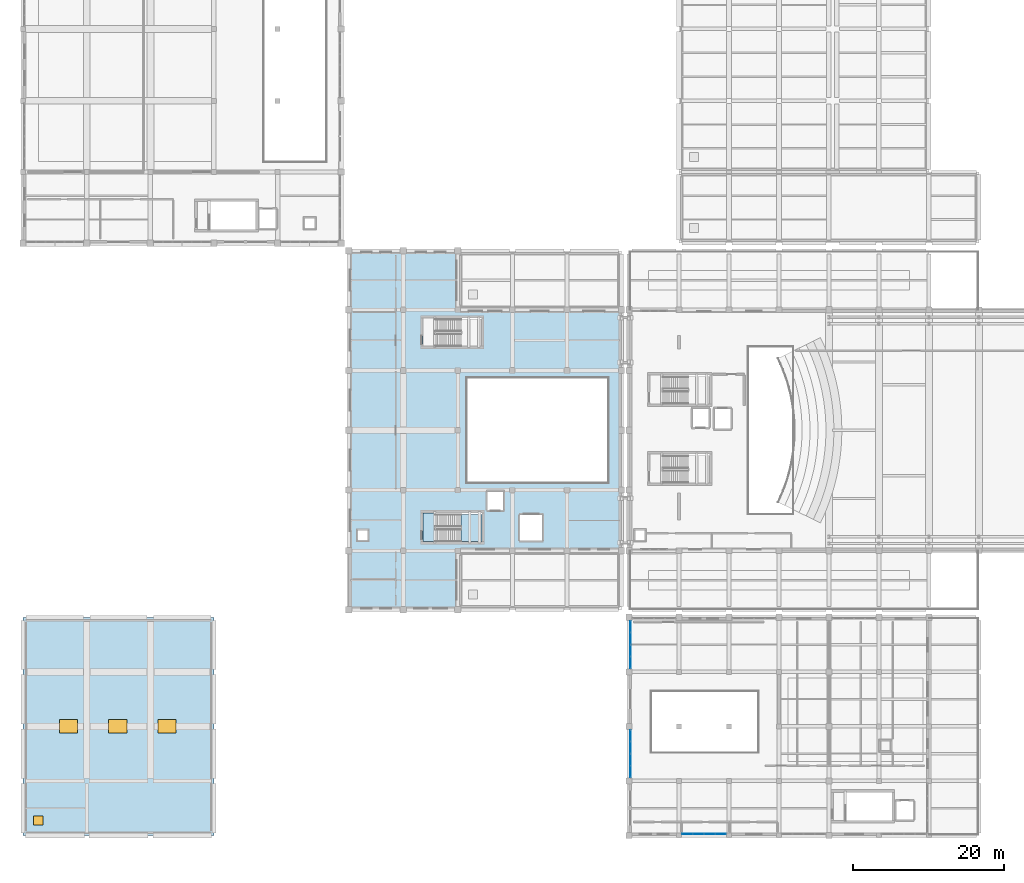
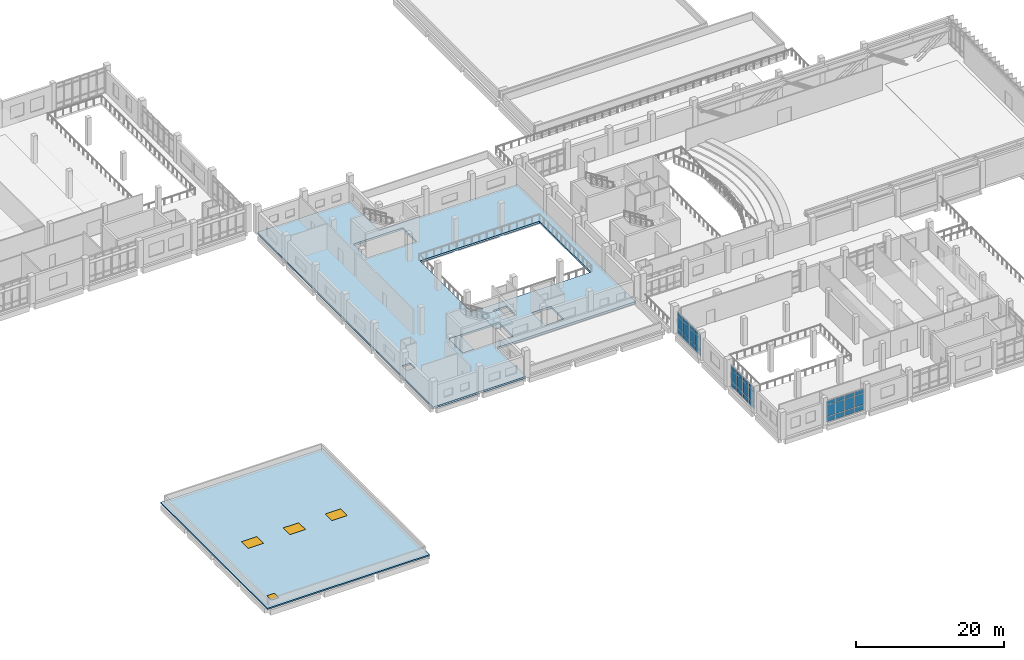
# One storey, part 26 of 54: 36 plates, 4 slabs, 4 windows, 4 openings, 6 elements without a shape of their own.
"""IFC4 building model written with IfcOpenShell, lengths in metres."""

from ifc_helpers import new_model, si_unit, direction, frame, origin, origin_2d, place, context, subcontext, project, spatial, polyline, rectangle, outline, extrude, material, layer, layer_set, type_object, element, fill, aggregate, save


model = new_model("IFC4")

# Units and contexts
model_context = context("Model", 3, precision=1e-05, world=origin(), true_north=direction((0.0, 1.0)))
body_context = subcontext(model_context, "Body", "Model", "MODEL_VIEW")
ifc_project = project(units=[si_unit("LENGTHUNIT", "METRE"), si_unit("AREAUNIT", "SQUARE_METRE"), si_unit("VOLUMEUNIT", "CUBIC_METRE"), si_unit("PLANEANGLEUNIT", "RADIAN"), si_unit("MASSUNIT", "GRAM", prefix="KILO")], contexts=[model_context])

# Site, building, storey
site_placement = place(None, origin())
site = spatial("IfcSite", under=ifc_project, at=site_placement, CompositionType="ELEMENT")
building_placement = place(site_placement, origin())
building = spatial("IfcBuilding", under=site, at=building_placement, Name="Kelarvand Opera House", CompositionType="ELEMENT")
storey_placement = place(building_placement, frame((0.0, 0.0, 15.0)))
storey = spatial("IfcBuildingStorey", under=building, at=storey_placement, Name="L03", CompositionType="ELEMENT", Elevation=15.0)

# Slab
ifc_material_1 = material(Name="Concrete C35/45", Category="concrete")
ifc_layer_1 = layer(ifc_material_1, 0.219970703125, Name="Concrete C35/45", Category="concrete")
ifc_layer_set_1 = layer_set([ifc_layer_1], Name="Concrete C35/45")
slab_type_1 = type_object("IfcSlabType", Name="Core Stair Entry Landing Slab 220", PredefinedType="LANDING", material=ifc_layer_set_1)
slab_1_placement = place(storey_placement, frame((0.0, 0.0, -0.219970703125)))
element("IfcSlab", 1, at=slab_1_placement, inside=storey, type_object=slab_type_1, Name="C2 Stair Entry Landing L03", PredefinedType="LANDING", context=body_context, shape_type="SweptSolid", body=[
    extrude(outline(polyline([(61.800048828125, 47.800048828125), (63.52001953125, 47.800048828125), (63.52001953125, 51.60009765625), (61.800048828125, 51.60009765625), (61.800048828125, 47.800048828125)])), origin(), (0.0, 0.0, 1.0), 0.219970703125),
])

# Slab, openings, windows
ifc_layer_2 = layer(ifc_material_1, 0.219970703125, Name="Concrete C35/45", Category="concrete")
ifc_layer_set_2 = layer_set([ifc_layer_2], Name="Concrete C35/45")
slab_type_2 = type_object("IfcSlabType", Name="Flat Structural Roof Slab 220", PredefinedType="ROOF", material=ifc_layer_set_2)
slab_2_placement = place(storey_placement, frame((0.0, 0.0, -0.219970703125)))
slab_2 = element("IfcSlab", 2, at=slab_2_placement, inside=storey, type_object=slab_type_2, Name="V4 Flat Roof Slab L03 1", PredefinedType="ROOF", context=body_context, shape_type="SweptSolid", body=[
    extrude(outline(polyline([(9.0, 9.0), (34.199951171875, 9.0), (34.199951171875, 37.800048828125), (9.0, 37.800048828125), (9.0, 9.0)])), origin(), (0.0, 0.0, 1.0), 0.219970703125),
])
opening_1_placement = place(slab_2_placement, frame((11.0, 11.0, 0.0)))
opening_1 = element("IfcOpeningElement", 3, at=opening_1_placement, cuts=slab_2, Name="Opening RH-01", PredefinedType="OPENING", context=body_context, shape_type="SweptSolid", body=[
    extrude(rectangle(XDim=1.199951171875, YDim=1.199951171875, at=origin_2d()), frame((0.0, 0.0, -0.010009765625)), (0.0, 0.0, 1.0), 0.239990234375),
])
opening_2_placement = place(slab_2_placement, frame((15.0, 23.39990234375, 0.0)))
opening_2 = element("IfcOpeningElement", 4, at=opening_2_placement, cuts=slab_2, Name="Opening SK-01", PredefinedType="OPENING", context=body_context, shape_type="SweptSolid", body=[
    extrude(rectangle(XDim=2.39990234375, YDim=1.800048828125, at=origin_2d()), frame((0.0, 0.0, -0.010009765625)), (0.0, 0.0, 1.0), 0.239990234375),
])
opening_3_placement = place(slab_2_placement, frame((21.5, 23.39990234375, 0.0)))
opening_3 = element("IfcOpeningElement", 5, at=opening_3_placement, cuts=slab_2, Name="Opening SK-01", PredefinedType="OPENING", context=body_context, shape_type="SweptSolid", body=[
    extrude(rectangle(XDim=2.39990234375, YDim=1.800048828125, at=origin_2d()), frame((0.0, 0.0, -0.010009765625)), (0.0, 0.0, 1.0), 0.239990234375),
])
opening_4_placement = place(slab_2_placement, frame((28.0, 23.39990234375, 0.0)))
opening_4 = element("IfcOpeningElement", 6, at=opening_4_placement, cuts=slab_2, Name="Opening SK-01", PredefinedType="OPENING", context=body_context, shape_type="SweptSolid", body=[
    extrude(rectangle(XDim=2.39990234375, YDim=1.800048828125, at=origin_2d()), frame((0.0, 0.0, -0.010009765625)), (0.0, 0.0, 1.0), 0.239990234375),
])
ifc_material_2 = material(Name="Insulated aluminium roof access hatch", Category="aluminium")
window_type_1 = type_object("IfcWindowType", Name="Insulated Flat-Roof Maintenance Access Hatch 1200x1200", PartitioningType="SINGLE_PANEL", PredefinedType="SKYLIGHT", material=ifc_material_2)
window_1_placement = place(opening_1_placement, frame((0.0, 0.0, 0.169921875)))
window_1 = element("IfcWindow", 7, at=window_1_placement, inside=storey, type_object=window_type_1, Name="V4 Maintenance Roof Hatch 8", OverallHeight=1.199951171875, OverallWidth=1.199951171875, PartitioningType="SINGLE_PANEL", PredefinedType="SKYLIGHT", context=body_context, shape_type="SweptSolid", body=[
    extrude(rectangle(XDim=1.199951171875, YDim=1.199951171875, at=origin_2d()), origin(), (0.0, 0.0, 1.0), 0.050048828125),
])
fill(opening_1, window_1)
ifc_material_3 = material(Name="Thermally broken aluminium skylight glazing", Category="aluminium")
window_type_2 = type_object("IfcWindowType", Name="Workshop North-Light Acoustic Skylight 2400x1800", PartitioningType="SINGLE_PANEL", PredefinedType="SKYLIGHT", material=ifc_material_3)
window_2_placement = place(opening_2_placement, frame((0.0, 0.0, 0.169921875)))
window_2 = element("IfcWindow", 8, at=window_2_placement, inside=storey, type_object=window_type_2, Name="Workshop North-Light Skylight 1", OverallHeight=1.800048828125, OverallWidth=2.39990234375, PartitioningType="SINGLE_PANEL", PredefinedType="SKYLIGHT", context=body_context, shape_type="SweptSolid", body=[
    extrude(rectangle(XDim=2.39990234375, YDim=1.800048828125, at=origin_2d()), origin(), (0.0, 0.0, 1.0), 0.050048828125),
])
fill(opening_2, window_2)
window_3_placement = place(opening_3_placement, frame((0.0, 0.0, 0.169921875)))
window_3 = element("IfcWindow", 9, at=window_3_placement, inside=storey, type_object=window_type_2, Name="Workshop North-Light Skylight 2", OverallHeight=1.800048828125, OverallWidth=2.39990234375, PartitioningType="SINGLE_PANEL", PredefinedType="SKYLIGHT", context=body_context, shape_type="SweptSolid", body=[
    extrude(rectangle(XDim=2.39990234375, YDim=1.800048828125, at=origin_2d()), origin(), (0.0, 0.0, 1.0), 0.050048828125),
])
fill(opening_3, window_3)
window_4_placement = place(opening_4_placement, frame((0.0, 0.0, 0.169921875)))
window_4 = element("IfcWindow", 10, at=window_4_placement, inside=storey, type_object=window_type_2, Name="Workshop North-Light Skylight 3", OverallHeight=1.800048828125, OverallWidth=2.39990234375, PartitioningType="SINGLE_PANEL", PredefinedType="SKYLIGHT", context=body_context, shape_type="SweptSolid", body=[
    extrude(rectangle(XDim=2.39990234375, YDim=1.800048828125, at=origin_2d()), origin(), (0.0, 0.0, 1.0), 0.050048828125),
])
fill(opening_4, window_4)

# Slab
ifc_material_4 = material(Name="Concrete C40/50", Category="concrete")
ifc_layer_3 = layer(ifc_material_4, 0.320068359375, Name="Concrete C40/50", Category="concrete")
ifc_layer_set_3 = layer_set([ifc_layer_3], Name="Concrete C40/50")
slab_type_3 = type_object("IfcSlabType", Name="Long-Span Hall Floor Slab 320", PredefinedType="FLOOR", material=ifc_layer_set_3)
slab_3_placement = place(storey_placement, frame((0.0, 0.0, -0.320068359375)))
element("IfcSlab", 11, at=slab_3_placement, inside=storey, type_object=slab_type_3, Name="V2 L03 Structural Slab 14", PredefinedType="FLOOR", context=body_context, shape_type="SweptSolid", body=[
    extrude(outline(polyline([(66.39990234375, 38.800048828125), (52.0, 38.800048828125), (52.0, 86.199951171875), (66.39990234375, 86.199951171875), (66.39990234375, 78.39990234375), (88.0, 78.39990234375), (88.0, 46.60009765625), (66.39990234375, 46.60009765625), (66.39990234375, 38.800048828125)]), holes=[polyline([(53.199951171875, 49.300048828125), (54.5, 49.300048828125), (54.5, 48.0), (53.199951171875, 48.0), (53.199951171875, 49.300048828125)]), polyline([(77.550048828125, 51.35009765625), (77.550048828125, 47.89990234375), (74.60009765625, 47.89990234375), (74.60009765625, 51.35009765625), (77.550048828125, 51.35009765625)]), polyline([(69.60009765625, 51.60009765625), (69.60009765625, 47.800048828125), (61.800048828125, 47.800048828125), (61.800048828125, 51.60009765625), (69.60009765625, 51.60009765625)]), polyline([(70.300048828125, 54.39990234375), (72.39990234375, 54.39990234375), (72.39990234375, 51.949951171875), (70.300048828125, 51.949951171875), (70.300048828125, 54.39990234375)]), polyline([(86.199951171875, 69.39990234375), (86.199951171875, 55.60009765625), (67.60009765625, 55.60009765625), (67.60009765625, 69.39990234375), (86.199951171875, 69.39990234375)]), polyline([(69.5, 77.300048828125), (69.5, 73.60009765625), (61.800048828125, 73.60009765625), (61.800048828125, 77.300048828125), (69.5, 77.300048828125)])]), origin(), (0.0, 0.0, 1.0), 0.320068359375),
])

# Curtain wall, plates
ifc_material_5 = material(Name="Thermally broken aluminium and low-E glazing", Category="aluminium")
ifc_layer_4 = layer(ifc_material_5, 0.179931640625, Name="Thermally broken aluminium and low-E glazing", Category="aluminium")
ifc_layer_set_4 = layer_set([ifc_layer_4], Name="Thermally broken aluminium and low-E glazing")
curtain_wall_type_1 = type_object("IfcCurtainWallType", Name="Unitised Low-E Curtain Wall 3176x3530 Mod 1350 CWF-59", PredefinedType="USERDEFINED", material=ifc_layer_set_4)
curtain_wall_1_placement = place(storey_placement, origin())
curtain_wall_1 = element("IfcCurtainWall", 12, at=curtain_wall_1_placement, inside=storey, type_object=curtain_wall_type_1, Name="V6 L03 Curtain Wall CWF-59 (234)", ObjectType="UNITISED CURTAIN WALL", PredefinedType="USERDEFINED")
ifc_material_6 = material(Name="Low-E laminated double glazing", Category="glass")
ifc_layer_5 = layer(ifc_material_6, 0.031982421875, Name="Low-E laminated double glazing", Category="glass")
ifc_layer_set_5 = layer_set([ifc_layer_5], Name="Low-E laminated double glazing")
plate_type = type_object("IfcPlateType", Name="Low-E Argon Double Glazed Curtain Panel 32mm", PredefinedType="CURTAIN_PANEL", material=ifc_layer_set_5)
plate_1_placement = place(storey_placement, frame((89.179931640625, 17.43017578125, 0.06494140625), z_axis=(0.0, 0.0, 1.0), x_axis=(0.0, 1.0, 0.0)))
plate_1 = element("IfcPlate", 13, at=plate_1_placement, type_object=plate_type, Name="CWF-59 panel 1.1", PredefinedType="CURTAIN_PANEL", context=body_context, shape_type="SweptSolid", body=[
    extrude(rectangle(XDim=1.490478515625, YDim=0.031982421875, at=origin_2d()), origin(), (0.0, 0.0, 1.0), 0.802490234375),
])
plate_2_placement = place(storey_placement, frame((89.179931640625, 17.43017578125, 0.9326171875), z_axis=(0.0, 0.0, 1.0), x_axis=(0.0, 1.0, 0.0)))
plate_2 = element("IfcPlate", 14, at=plate_2_placement, type_object=plate_type, Name="CWF-59 panel 1.2", PredefinedType="CURTAIN_PANEL", context=body_context, shape_type="SweptSolid", body=[
    extrude(rectangle(XDim=1.490478515625, YDim=0.031982421875, at=origin_2d()), origin(), (0.0, 0.0, 1.0), 1.864990234375),
])
plate_3_placement = place(storey_placement, frame((89.179931640625, 17.43017578125, 2.862548828125), z_axis=(0.0, 0.0, 1.0), x_axis=(0.0, 1.0, 0.0)))
plate_3 = element("IfcPlate", 15, at=plate_3_placement, type_object=plate_type, Name="CWF-59 panel 1.3", PredefinedType="CURTAIN_PANEL", context=body_context, shape_type="SweptSolid", body=[
    extrude(rectangle(XDim=1.490478515625, YDim=0.031982421875, at=origin_2d()), origin(), (0.0, 0.0, 1.0), 0.6025390625),
])
plate_4_placement = place(storey_placement, frame((89.179931640625, 18.98583984375, 0.06494140625), z_axis=(0.0, 0.0, 1.0), x_axis=(0.0, 1.0, 0.0)))
plate_4 = element("IfcPlate", 16, at=plate_4_placement, type_object=plate_type, Name="CWF-59 panel 2.1", PredefinedType="CURTAIN_PANEL", context=body_context, shape_type="SweptSolid", body=[
    extrude(rectangle(XDim=1.490478515625, YDim=0.031982421875, at=origin_2d()), origin(), (0.0, 0.0, 1.0), 0.802490234375),
])
plate_5_placement = place(storey_placement, frame((89.179931640625, 18.98583984375, 0.9326171875), z_axis=(0.0, 0.0, 1.0), x_axis=(0.0, 1.0, 0.0)))
plate_5 = element("IfcPlate", 17, at=plate_5_placement, type_object=plate_type, Name="CWF-59 panel 2.2", PredefinedType="CURTAIN_PANEL", context=body_context, shape_type="SweptSolid", body=[
    extrude(rectangle(XDim=1.490478515625, YDim=0.031982421875, at=origin_2d()), origin(), (0.0, 0.0, 1.0), 1.864990234375),
])
plate_6_placement = place(storey_placement, frame((89.179931640625, 18.98583984375, 2.862548828125), z_axis=(0.0, 0.0, 1.0), x_axis=(0.0, 1.0, 0.0)))
plate_6 = element("IfcPlate", 18, at=plate_6_placement, type_object=plate_type, Name="CWF-59 panel 2.3", PredefinedType="CURTAIN_PANEL", context=body_context, shape_type="SweptSolid", body=[
    extrude(rectangle(XDim=1.490478515625, YDim=0.031982421875, at=origin_2d()), origin(), (0.0, 0.0, 1.0), 0.6025390625),
])
aggregate(curtain_wall_1, [plate_1, plate_2, plate_3, plate_4, plate_5, plate_6])

curtain_wall_2_placement = place(storey_placement, origin())
curtain_wall_2 = element("IfcCurtainWall", 19, at=curtain_wall_2_placement, inside=storey, type_object=curtain_wall_type_1, Name="V6 L03 Curtain Wall CWF-59 (235)", ObjectType="UNITISED CURTAIN WALL", PredefinedType="USERDEFINED")
plate_7_placement = place(storey_placement, frame((89.179931640625, 20.611328125, 0.06494140625), z_axis=(0.0, 0.0, 1.0), x_axis=(0.0, 1.0, 0.0)))
plate_7 = element("IfcPlate", 20, at=plate_7_placement, type_object=plate_type, Name="CWF-59 panel 1.1", PredefinedType="CURTAIN_PANEL", context=body_context, shape_type="SweptSolid", body=[
    extrude(rectangle(XDim=1.492431640625, YDim=0.031982421875, at=origin_2d()), origin(), (0.0, 0.0, 1.0), 0.802490234375),
])
plate_8_placement = place(storey_placement, frame((89.179931640625, 20.611328125, 0.9326171875), z_axis=(0.0, 0.0, 1.0), x_axis=(0.0, 1.0, 0.0)))
plate_8 = element("IfcPlate", 21, at=plate_8_placement, type_object=plate_type, Name="CWF-59 panel 1.2", PredefinedType="CURTAIN_PANEL", context=body_context, shape_type="SweptSolid", body=[
    extrude(rectangle(XDim=1.492431640625, YDim=0.031982421875, at=origin_2d()), origin(), (0.0, 0.0, 1.0), 1.864990234375),
])
plate_9_placement = place(storey_placement, frame((89.179931640625, 20.611328125, 2.862548828125), z_axis=(0.0, 0.0, 1.0), x_axis=(0.0, 1.0, 0.0)))
plate_9 = element("IfcPlate", 22, at=plate_9_placement, type_object=plate_type, Name="CWF-59 panel 1.3", PredefinedType="CURTAIN_PANEL", context=body_context, shape_type="SweptSolid", body=[
    extrude(rectangle(XDim=1.492431640625, YDim=0.031982421875, at=origin_2d()), origin(), (0.0, 0.0, 1.0), 0.6025390625),
])
plate_10_placement = place(storey_placement, frame((89.179931640625, 22.168701171875, 0.06494140625), z_axis=(0.0, 0.0, 1.0), x_axis=(0.0, 1.0, 0.0)))
plate_10 = element("IfcPlate", 23, at=plate_10_placement, type_object=plate_type, Name="CWF-59 panel 2.1", PredefinedType="CURTAIN_PANEL", context=body_context, shape_type="SweptSolid", body=[
    extrude(rectangle(XDim=1.492431640625, YDim=0.031982421875, at=origin_2d()), origin(), (0.0, 0.0, 1.0), 0.802490234375),
])
plate_11_placement = place(storey_placement, frame((89.179931640625, 22.168701171875, 0.9326171875), z_axis=(0.0, 0.0, 1.0), x_axis=(0.0, 1.0, 0.0)))
plate_11 = element("IfcPlate", 24, at=plate_11_placement, type_object=plate_type, Name="CWF-59 panel 2.2", PredefinedType="CURTAIN_PANEL", context=body_context, shape_type="SweptSolid", body=[
    extrude(rectangle(XDim=1.492431640625, YDim=0.031982421875, at=origin_2d()), origin(), (0.0, 0.0, 1.0), 1.864990234375),
])
plate_12_placement = place(storey_placement, frame((89.179931640625, 22.168701171875, 2.862548828125), z_axis=(0.0, 0.0, 1.0), x_axis=(0.0, 1.0, 0.0)))
plate_12 = element("IfcPlate", 25, at=plate_12_placement, type_object=plate_type, Name="CWF-59 panel 2.3", PredefinedType="CURTAIN_PANEL", context=body_context, shape_type="SweptSolid", body=[
    extrude(rectangle(XDim=1.492431640625, YDim=0.031982421875, at=origin_2d()), origin(), (0.0, 0.0, 1.0), 0.6025390625),
])
aggregate(curtain_wall_2, [plate_7, plate_8, plate_9, plate_10, plate_11, plate_12])

curtain_wall_3_placement = place(storey_placement, origin())
curtain_wall_3 = element("IfcCurtainWall", 26, at=curtain_wall_3_placement, inside=storey, type_object=curtain_wall_type_1, Name="V6 L03 Curtain Wall CWF-59 (236)", ObjectType="UNITISED CURTAIN WALL", PredefinedType="USERDEFINED")
plate_13_placement = place(storey_placement, frame((89.179931640625, 31.830322265625, 0.06494140625), z_axis=(0.0, 0.0, 1.0), x_axis=(0.0, 1.0, 0.0)))
plate_13 = element("IfcPlate", 27, at=plate_13_placement, type_object=plate_type, Name="CWF-59 panel 1.1", PredefinedType="CURTAIN_PANEL", context=body_context, shape_type="SweptSolid", body=[
    extrude(rectangle(XDim=1.490478515625, YDim=0.031982421875, at=origin_2d()), origin(), (0.0, 0.0, 1.0), 0.802490234375),
])
plate_14_placement = place(storey_placement, frame((89.179931640625, 31.830322265625, 0.9326171875), z_axis=(0.0, 0.0, 1.0), x_axis=(0.0, 1.0, 0.0)))
plate_14 = element("IfcPlate", 28, at=plate_14_placement, type_object=plate_type, Name="CWF-59 panel 1.2", PredefinedType="CURTAIN_PANEL", context=body_context, shape_type="SweptSolid", body=[
    extrude(rectangle(XDim=1.490478515625, YDim=0.031982421875, at=origin_2d()), origin(), (0.0, 0.0, 1.0), 1.864990234375),
])
plate_15_placement = place(storey_placement, frame((89.179931640625, 31.830322265625, 2.862548828125), z_axis=(0.0, 0.0, 1.0), x_axis=(0.0, 1.0, 0.0)))
plate_15 = element("IfcPlate", 29, at=plate_15_placement, type_object=plate_type, Name="CWF-59 panel 1.3", PredefinedType="CURTAIN_PANEL", context=body_context, shape_type="SweptSolid", body=[
    extrude(rectangle(XDim=1.490478515625, YDim=0.031982421875, at=origin_2d()), origin(), (0.0, 0.0, 1.0), 0.6025390625),
])
plate_16_placement = place(storey_placement, frame((89.179931640625, 33.3857421875, 0.06494140625), z_axis=(0.0, 0.0, 1.0), x_axis=(0.0, 1.0, 0.0)))
plate_16 = element("IfcPlate", 30, at=plate_16_placement, type_object=plate_type, Name="CWF-59 panel 2.1", PredefinedType="CURTAIN_PANEL", context=body_context, shape_type="SweptSolid", body=[
    extrude(rectangle(XDim=1.490478515625, YDim=0.031982421875, at=origin_2d()), origin(), (0.0, 0.0, 1.0), 0.802490234375),
])
plate_17_placement = place(storey_placement, frame((89.179931640625, 33.3857421875, 0.9326171875), z_axis=(0.0, 0.0, 1.0), x_axis=(0.0, 1.0, 0.0)))
plate_17 = element("IfcPlate", 31, at=plate_17_placement, type_object=plate_type, Name="CWF-59 panel 2.2", PredefinedType="CURTAIN_PANEL", context=body_context, shape_type="SweptSolid", body=[
    extrude(rectangle(XDim=1.490478515625, YDim=0.031982421875, at=origin_2d()), origin(), (0.0, 0.0, 1.0), 1.864990234375),
])
plate_18_placement = place(storey_placement, frame((89.179931640625, 33.3857421875, 2.862548828125), z_axis=(0.0, 0.0, 1.0), x_axis=(0.0, 1.0, 0.0)))
plate_18 = element("IfcPlate", 32, at=plate_18_placement, type_object=plate_type, Name="CWF-59 panel 2.3", PredefinedType="CURTAIN_PANEL", context=body_context, shape_type="SweptSolid", body=[
    extrude(rectangle(XDim=1.490478515625, YDim=0.031982421875, at=origin_2d()), origin(), (0.0, 0.0, 1.0), 0.6025390625),
])
aggregate(curtain_wall_3, [plate_13, plate_14, plate_15, plate_16, plate_17, plate_18])

curtain_wall_4_placement = place(storey_placement, origin())
curtain_wall_4 = element("IfcCurtainWall", 33, at=curtain_wall_4_placement, inside=storey, type_object=curtain_wall_type_1, Name="V6 L03 Curtain Wall CWF-59 (237)", ObjectType="UNITISED CURTAIN WALL", PredefinedType="USERDEFINED")
plate_19_placement = place(storey_placement, frame((89.179931640625, 35.01123046875, 0.06494140625), z_axis=(0.0, 0.0, 1.0), x_axis=(0.0, 1.0, 0.0)))
plate_19 = element("IfcPlate", 34, at=plate_19_placement, type_object=plate_type, Name="CWF-59 panel 1.1", PredefinedType="CURTAIN_PANEL", context=body_context, shape_type="SweptSolid", body=[
    extrude(rectangle(XDim=1.492431640625, YDim=0.031982421875, at=origin_2d()), origin(), (0.0, 0.0, 1.0), 0.802490234375),
])
plate_20_placement = place(storey_placement, frame((89.179931640625, 35.01123046875, 0.9326171875), z_axis=(0.0, 0.0, 1.0), x_axis=(0.0, 1.0, 0.0)))
plate_20 = element("IfcPlate", 35, at=plate_20_placement, type_object=plate_type, Name="CWF-59 panel 1.2", PredefinedType="CURTAIN_PANEL", context=body_context, shape_type="SweptSolid", body=[
    extrude(rectangle(XDim=1.492431640625, YDim=0.031982421875, at=origin_2d()), origin(), (0.0, 0.0, 1.0), 1.864990234375),
])
plate_21_placement = place(storey_placement, frame((89.179931640625, 35.01123046875, 2.862548828125), z_axis=(0.0, 0.0, 1.0), x_axis=(0.0, 1.0, 0.0)))
plate_21 = element("IfcPlate", 36, at=plate_21_placement, type_object=plate_type, Name="CWF-59 panel 1.3", PredefinedType="CURTAIN_PANEL", context=body_context, shape_type="SweptSolid", body=[
    extrude(rectangle(XDim=1.492431640625, YDim=0.031982421875, at=origin_2d()), origin(), (0.0, 0.0, 1.0), 0.6025390625),
])
plate_22_placement = place(storey_placement, frame((89.179931640625, 36.56884765625, 0.06494140625), z_axis=(0.0, 0.0, 1.0), x_axis=(0.0, 1.0, 0.0)))
plate_22 = element("IfcPlate", 37, at=plate_22_placement, type_object=plate_type, Name="CWF-59 panel 2.1", PredefinedType="CURTAIN_PANEL", context=body_context, shape_type="SweptSolid", body=[
    extrude(rectangle(XDim=1.492431640625, YDim=0.031982421875, at=origin_2d()), origin(), (0.0, 0.0, 1.0), 0.802490234375),
])
plate_23_placement = place(storey_placement, frame((89.179931640625, 36.56884765625, 0.9326171875), z_axis=(0.0, 0.0, 1.0), x_axis=(0.0, 1.0, 0.0)))
plate_23 = element("IfcPlate", 38, at=plate_23_placement, type_object=plate_type, Name="CWF-59 panel 2.2", PredefinedType="CURTAIN_PANEL", context=body_context, shape_type="SweptSolid", body=[
    extrude(rectangle(XDim=1.492431640625, YDim=0.031982421875, at=origin_2d()), origin(), (0.0, 0.0, 1.0), 1.864990234375),
])
plate_24_placement = place(storey_placement, frame((89.179931640625, 36.56884765625, 2.862548828125), z_axis=(0.0, 0.0, 1.0), x_axis=(0.0, 1.0, 0.0)))
plate_24 = element("IfcPlate", 39, at=plate_24_placement, type_object=plate_type, Name="CWF-59 panel 2.3", PredefinedType="CURTAIN_PANEL", context=body_context, shape_type="SweptSolid", body=[
    extrude(rectangle(XDim=1.492431640625, YDim=0.031982421875, at=origin_2d()), origin(), (0.0, 0.0, 1.0), 0.6025390625),
])
aggregate(curtain_wall_4, [plate_19, plate_20, plate_21, plate_22, plate_23, plate_24])

ifc_layer_6 = layer(ifc_material_5, 0.179931640625, Name="Thermally broken aluminium and low-E glazing", Category="aluminium")
ifc_layer_set_6 = layer_set([ifc_layer_6], Name="Thermally broken aluminium and low-E glazing")
curtain_wall_type_2 = type_object("IfcCurtainWallType", Name="Unitised Low-E Curtain Wall 5930x3530 Mod 1350 CWF-60", PredefinedType="USERDEFINED", material=ifc_layer_set_6)
curtain_wall_5_placement = place(storey_placement, origin())
curtain_wall_5 = element("IfcCurtainWall", 40, at=curtain_wall_5_placement, inside=storey, type_object=curtain_wall_type_2, Name="V6 L03 Curtain Wall CWF-60 (240)", ObjectType="UNITISED CURTAIN WALL", PredefinedType="USERDEFINED")
plate_25_placement = place(storey_placement, frame((101.107421875, 9.179931640625, 0.06494140625), z_axis=(0.0, 0.0, 1.0), x_axis=(-1.0, 0.0, 0.0)))
plate_25 = element("IfcPlate", 41, at=plate_25_placement, type_object=plate_type, Name="CWF-60 panel 1.1", PredefinedType="CURTAIN_PANEL", context=body_context, shape_type="SweptSolid", body=[
    extrude(rectangle(XDim=1.385009765625, YDim=0.031982421875, at=origin_2d()), origin(), (0.0, 0.0, 1.0), 0.802490234375),
])
plate_26_placement = place(storey_placement, frame((101.107421875, 9.179931640625, 0.9326171875), z_axis=(0.0, 0.0, 1.0), x_axis=(-1.0, 0.0, 0.0)))
plate_26 = element("IfcPlate", 42, at=plate_26_placement, type_object=plate_type, Name="CWF-60 panel 1.2", PredefinedType="CURTAIN_PANEL", context=body_context, shape_type="SweptSolid", body=[
    extrude(rectangle(XDim=1.385009765625, YDim=0.031982421875, at=origin_2d()), origin(), (0.0, 0.0, 1.0), 1.864990234375),
])
plate_27_placement = place(storey_placement, frame((101.107421875, 9.179931640625, 2.862548828125), z_axis=(0.0, 0.0, 1.0), x_axis=(-1.0, 0.0, 0.0)))
plate_27 = element("IfcPlate", 43, at=plate_27_placement, type_object=plate_type, Name="CWF-60 panel 1.3", PredefinedType="CURTAIN_PANEL", context=body_context, shape_type="SweptSolid", body=[
    extrude(rectangle(XDim=1.385009765625, YDim=0.031982421875, at=origin_2d()), origin(), (0.0, 0.0, 1.0), 0.6025390625),
])
plate_28_placement = place(storey_placement, frame((99.641357421875, 9.179931640625, 0.06494140625), z_axis=(0.0, 0.0, 1.0), x_axis=(-1.0, 0.0, 0.0)))
plate_28 = element("IfcPlate", 44, at=plate_28_placement, type_object=plate_type, Name="CWF-60 panel 2.1", PredefinedType="CURTAIN_PANEL", context=body_context, shape_type="SweptSolid", body=[
    extrude(rectangle(XDim=1.41748046875, YDim=0.031982421875, at=origin_2d()), origin(), (0.0, 0.0, 1.0), 0.802490234375),
])
plate_29_placement = place(storey_placement, frame((99.641357421875, 9.179931640625, 0.9326171875), z_axis=(0.0, 0.0, 1.0), x_axis=(-1.0, 0.0, 0.0)))
plate_29 = element("IfcPlate", 45, at=plate_29_placement, type_object=plate_type, Name="CWF-60 panel 2.2", PredefinedType="CURTAIN_PANEL", context=body_context, shape_type="SweptSolid", body=[
    extrude(rectangle(XDim=1.41748046875, YDim=0.031982421875, at=origin_2d()), origin(), (0.0, 0.0, 1.0), 1.864990234375),
])
plate_30_placement = place(storey_placement, frame((99.641357421875, 9.179931640625, 2.862548828125), z_axis=(0.0, 0.0, 1.0), x_axis=(-1.0, 0.0, 0.0)))
plate_30 = element("IfcPlate", 46, at=plate_30_placement, type_object=plate_type, Name="CWF-60 panel 2.3", PredefinedType="CURTAIN_PANEL", context=body_context, shape_type="SweptSolid", body=[
    extrude(rectangle(XDim=1.41748046875, YDim=0.031982421875, at=origin_2d()), origin(), (0.0, 0.0, 1.0), 0.6025390625),
])
plate_31_placement = place(storey_placement, frame((98.15869140625, 9.179931640625, 0.06494140625), z_axis=(0.0, 0.0, 1.0), x_axis=(-1.0, 0.0, 0.0)))
plate_31 = element("IfcPlate", 47, at=plate_31_placement, type_object=plate_type, Name="CWF-60 panel 3.1", PredefinedType="CURTAIN_PANEL", context=body_context, shape_type="SweptSolid", body=[
    extrude(rectangle(XDim=1.41748046875, YDim=0.031982421875, at=origin_2d()), origin(), (0.0, 0.0, 1.0), 0.802490234375),
])
plate_32_placement = place(storey_placement, frame((98.15869140625, 9.179931640625, 0.9326171875), z_axis=(0.0, 0.0, 1.0), x_axis=(-1.0, 0.0, 0.0)))
plate_32 = element("IfcPlate", 48, at=plate_32_placement, type_object=plate_type, Name="CWF-60 panel 3.2", PredefinedType="CURTAIN_PANEL", context=body_context, shape_type="SweptSolid", body=[
    extrude(rectangle(XDim=1.41748046875, YDim=0.031982421875, at=origin_2d()), origin(), (0.0, 0.0, 1.0), 1.864990234375),
])
plate_33_placement = place(storey_placement, frame((98.15869140625, 9.179931640625, 2.862548828125), z_axis=(0.0, 0.0, 1.0), x_axis=(-1.0, 0.0, 0.0)))
plate_33 = element("IfcPlate", 49, at=plate_33_placement, type_object=plate_type, Name="CWF-60 panel 3.3", PredefinedType="CURTAIN_PANEL", context=body_context, shape_type="SweptSolid", body=[
    extrude(rectangle(XDim=1.41748046875, YDim=0.031982421875, at=origin_2d()), origin(), (0.0, 0.0, 1.0), 0.6025390625),
])
plate_34_placement = place(storey_placement, frame((96.6923828125, 9.179931640625, 0.06494140625), z_axis=(0.0, 0.0, 1.0), x_axis=(-1.0, 0.0, 0.0)))
plate_34 = element("IfcPlate", 50, at=plate_34_placement, type_object=plate_type, Name="CWF-60 panel 4.1", PredefinedType="CURTAIN_PANEL", context=body_context, shape_type="SweptSolid", body=[
    extrude(rectangle(XDim=1.385009765625, YDim=0.031982421875, at=origin_2d()), origin(), (0.0, 0.0, 1.0), 0.802490234375),
])
plate_35_placement = place(storey_placement, frame((96.6923828125, 9.179931640625, 0.9326171875), z_axis=(0.0, 0.0, 1.0), x_axis=(-1.0, 0.0, 0.0)))
plate_35 = element("IfcPlate", 51, at=plate_35_placement, type_object=plate_type, Name="CWF-60 panel 4.2", PredefinedType="CURTAIN_PANEL", context=body_context, shape_type="SweptSolid", body=[
    extrude(rectangle(XDim=1.385009765625, YDim=0.031982421875, at=origin_2d()), origin(), (0.0, 0.0, 1.0), 1.864990234375),
])
plate_36_placement = place(storey_placement, frame((96.6923828125, 9.179931640625, 2.862548828125), z_axis=(0.0, 0.0, 1.0), x_axis=(-1.0, 0.0, 0.0)))
plate_36 = element("IfcPlate", 52, at=plate_36_placement, type_object=plate_type, Name="CWF-60 panel 4.3", PredefinedType="CURTAIN_PANEL", context=body_context, shape_type="SweptSolid", body=[
    extrude(rectangle(XDim=1.385009765625, YDim=0.031982421875, at=origin_2d()), origin(), (0.0, 0.0, 1.0), 0.6025390625),
])
aggregate(curtain_wall_5, [plate_25, plate_26, plate_27, plate_28, plate_29, plate_30, plate_31, plate_32, plate_33, plate_34, plate_35, plate_36])

# Stair, slab
stair_type = type_object("IfcStairType", Name="Dogleg Concrete Exit Stair 1660mm 26R STA-03", PredefinedType="HALF_TURN_STAIR", material=ifc_material_1)
stair_placement = place(storey_placement, origin())
stair = element("IfcStair", 53, at=stair_placement, inside=storey, type_object=stair_type, Name="L03 Stage House South Firefighting and Goods Core C2 Stair ST-02", PredefinedType="HALF_TURN_STAIR")
ifc_layer_7 = layer(ifc_material_1, 0.199951171875, Name="Concrete C35/45", Category="concrete")
ifc_layer_set_7 = layer_set([ifc_layer_7], Name="Concrete C35/45")
slab_type_4 = type_object("IfcSlabType", Name="Precast Stair Half-Landing Slab 200", PredefinedType="LANDING", material=ifc_layer_set_7)
slab_4_placement = place(storey_placement, frame((0.0, 0.0, 2.050048828125)))
slab_4 = element("IfcSlab", 54, at=slab_4_placement, type_object=slab_type_4, Name="ST-02 landing 1", PredefinedType="LANDING", context=body_context, shape_type="SweptSolid", body=[
    extrude(outline(polyline([(66.820068359375, 47.800048828125), (69.60009765625, 47.800048828125), (69.60009765625, 51.39990234375), (66.820068359375, 51.39990234375), (66.820068359375, 47.800048828125)])), origin(), (0.0, 0.0, 1.0), 0.199951171875),
])
aggregate(stair, [slab_4])

save(model, "model.ifc")
